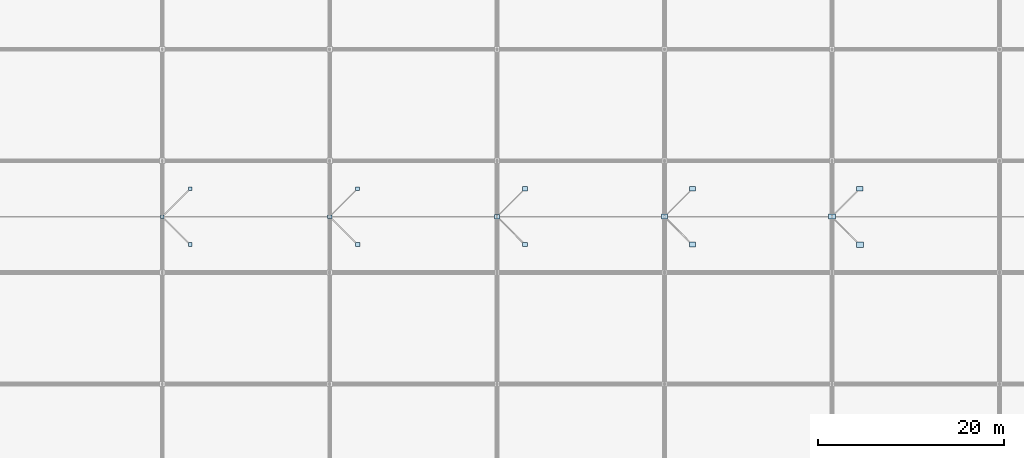
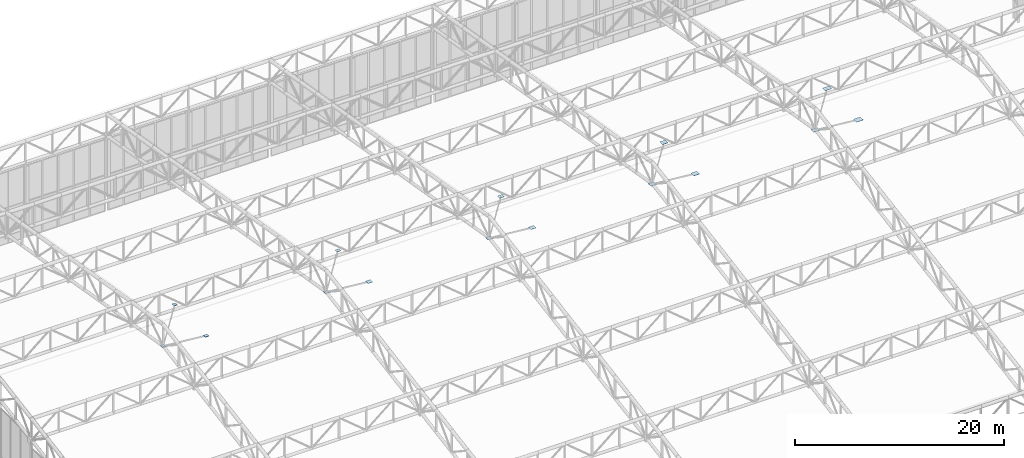
# One storey, part 199 of 239: 15 plates.
"""IFC4 building model written with IfcOpenShell, lengths in metres."""

from ifc_helpers import new_model, si_unit, direction, frame, origin, origin_2d, place, context, subcontext, project, spatial, rectangle, extrude, material, type_object, element, save


model = new_model("IFC4")

# Units and contexts
model_context = context("Model", 3, precision=1e-05, world=origin(), true_north=direction((0.0, 1.0)))
body_context = subcontext(model_context, "Body", "Model", "MODEL_VIEW")
ifc_project = project(units=[si_unit("LENGTHUNIT", "METRE"), si_unit("AREAUNIT", "SQUARE_METRE"), si_unit("VOLUMEUNIT", "CUBIC_METRE"), si_unit("PLANEANGLEUNIT", "RADIAN"), si_unit("MASSUNIT", "GRAM", prefix="KILO")], contexts=[model_context])

# Site, building, storey
site_placement = place(None, origin())
site = spatial("IfcSite", under=ifc_project, at=site_placement, CompositionType="ELEMENT")
building_placement = place(site_placement, origin())
building = spatial("IfcBuilding", under=site, at=building_placement, Name="Kaldris Quays Convention Centre", CompositionType="ELEMENT")
storey_placement = place(building_placement, frame((0.0, 0.0, 11.39990234375)))
storey = spatial("IfcBuildingStorey", under=building, at=storey_placement, Name="L02", CompositionType="ELEMENT", Elevation=11.39990234375)

# Plates
ifc_material = material(Name="Steel S355J2", Category="steel")
plate_type_1 = type_object("IfcPlateType", Name="GUSSET PLATE GP01", PredefinedType="USERDEFINED", material=ifc_material)
for number, where, z_axis, x_axis, name in (
    (1, (38.0, 98.0, 14.36279296875), (0.0, 0.0, 1.0), (1.0, 0.0, 0.0), "SF-V1 Strut Sealed End-Cap Plate GP01 1A"),
    (2, (41.0, 101.0, 16.3486328125), (0.0, 0.0, 1.0), (1.0, 0.0, 0.0), "SF-V1 Strut Sealed End-Cap Plate GP01 1B"),
):
    element("IfcPlate", number, at=place(storey_placement, frame(where, z_axis=z_axis, x_axis=x_axis)), inside=storey, type_object=plate_type_1, Name=name, ObjectType="GUSSET PLATE", PredefinedType="USERDEFINED", context=body_context, shape_type="SweptSolid", body=[
        extrude(rectangle(XDim=0.360107421875, YDim=0.39990234375, at=origin_2d()), origin(), (0.0, 0.0, 1.0), 0.01806640625),
    ])
plate_type_2 = type_object("IfcPlateType", Name="GUSSET PLATE GP02", PredefinedType="USERDEFINED", material=ifc_material)
plate_1_placement = place(storey_placement, frame((41.0, 95.0, 16.34765625), z_axis=(0.0, 0.0, 1.0), x_axis=(1.0, 0.0, 0.0)))
element("IfcPlate", 3, at=plate_1_placement, inside=storey, type_object=plate_type_2, Name="SF-V1 Strut Sealed End-Cap Plate GP02 2B", ObjectType="GUSSET PLATE", PredefinedType="USERDEFINED", context=body_context, shape_type="SweptSolid", body=[
    extrude(rectangle(XDim=0.405029296875, YDim=0.39990234375, at=origin_2d()), origin(), (0.0, 0.0, 1.0), 0.02001953125),
])
plate_type_3 = type_object("IfcPlateType", Name="GUSSET PLATE GP03", PredefinedType="USERDEFINED", material=ifc_material)
for number, where, z_axis, x_axis, name in (
    (4, (56.0, 98.0, 14.36083984375), (0.0, 0.0, 1.0), (1.0, 0.0, 0.0), "SF-V1 Strut Sealed End-Cap Plate GP03 3A"),
    (5, (59.0, 101.0, 16.3466796875), (0.0, 0.0, 1.0), (1.0, 0.0, 0.0), "SF-V1 Strut Sealed End-Cap Plate GP03 3B"),
):
    element("IfcPlate", number, at=place(storey_placement, frame(where, z_axis=z_axis, x_axis=x_axis)), inside=storey, type_object=plate_type_3, Name=name, ObjectType="GUSSET PLATE", PredefinedType="USERDEFINED", context=body_context, shape_type="SweptSolid", body=[
        extrude(rectangle(XDim=0.449951171875, YDim=0.39990234375, at=origin_2d()), origin(), (0.0, 0.0, 1.0), 0.02197265625),
    ])
plate_type_4 = type_object("IfcPlateType", Name="GUSSET PLATE GP04", PredefinedType="USERDEFINED", material=ifc_material)
plate_2_placement = place(storey_placement, frame((59.0, 95.0, 16.345703125), z_axis=(0.0, 0.0, 1.0), x_axis=(1.0, 0.0, 0.0)))
element("IfcPlate", 6, at=plate_2_placement, inside=storey, type_object=plate_type_4, Name="SF-V1 Strut Sealed End-Cap Plate GP04 4B", ObjectType="GUSSET PLATE", PredefinedType="USERDEFINED", context=body_context, shape_type="SweptSolid", body=[
    extrude(rectangle(XDim=0.4951171875, YDim=0.465087890625, at=origin_2d()), origin(), (0.0, 0.0, 1.0), 0.02392578125),
])
plate_type_5 = type_object("IfcPlateType", Name="GUSSET PLATE GP05", PredefinedType="USERDEFINED", material=ifc_material)
for number, where, z_axis, x_axis, name in (
    (7, (74.0, 98.0, 14.35888671875), (0.0, 0.0, 1.0), (1.0, 0.0, 0.0), "SF-V1 Strut Sealed End-Cap Plate GP05 5A"),
    (8, (77.0, 101.0, 16.3447265625), (0.0, 0.0, 1.0), (1.0, 0.0, 0.0), "SF-V1 Strut Sealed End-Cap Plate GP05 5B"),
):
    element("IfcPlate", number, at=place(storey_placement, frame(where, z_axis=z_axis, x_axis=x_axis)), inside=storey, type_object=plate_type_5, Name=name, ObjectType="GUSSET PLATE", PredefinedType="USERDEFINED", context=body_context, shape_type="SweptSolid", body=[
        extrude(rectangle(XDim=0.5400390625, YDim=0.465087890625, at=origin_2d()), origin(), (0.0, 0.0, 1.0), 0.02587890625),
    ])
plate_type_6 = type_object("IfcPlateType", Name="GUSSET PLATE GP06", PredefinedType="USERDEFINED", material=ifc_material)
plate_3_placement = place(storey_placement, frame((77.0, 95.0, 16.34375), z_axis=(0.0, 0.0, 1.0), x_axis=(1.0, 0.0, 0.0)))
element("IfcPlate", 9, at=plate_3_placement, inside=storey, type_object=plate_type_6, Name="SF-V1 Strut Sealed End-Cap Plate GP06 6B", ObjectType="GUSSET PLATE", PredefinedType="USERDEFINED", context=body_context, shape_type="SweptSolid", body=[
    extrude(rectangle(XDim=0.5849609375, YDim=0.465087890625, at=origin_2d()), origin(), (0.0, 0.0, 1.0), 0.028076171875),
])
plate_type_7 = type_object("IfcPlateType", Name="GUSSET PLATE GP07", PredefinedType="USERDEFINED", material=ifc_material)
for number, where, z_axis, x_axis, name in (
    (10, (92.0, 98.0, 14.35693359375), (0.0, 0.0, 1.0), (1.0, 0.0, 0.0), "SF-V1 Strut Sealed End-Cap Plate GP07 7A"),
    (11, (95.0, 101.0, 16.3427734375), (0.0, 0.0, 1.0), (1.0, 0.0, 0.0), "SF-V1 Strut Sealed End-Cap Plate GP07 7B"),
):
    element("IfcPlate", number, at=place(storey_placement, frame(where, z_axis=z_axis, x_axis=x_axis)), inside=storey, type_object=plate_type_7, Name=name, ObjectType="GUSSET PLATE", PredefinedType="USERDEFINED", context=body_context, shape_type="SweptSolid", body=[
        extrude(rectangle(XDim=0.6298828125, YDim=0.530029296875, at=origin_2d()), origin(), (0.0, 0.0, 1.0), 0.030029296875),
    ])
plate_type_8 = type_object("IfcPlateType", Name="GUSSET PLATE GP08", PredefinedType="USERDEFINED", material=ifc_material)
plate_4_placement = place(storey_placement, frame((95.0, 95.0, 16.341796875), z_axis=(0.0, 0.0, 1.0), x_axis=(1.0, 0.0, 0.0)))
element("IfcPlate", 12, at=plate_4_placement, inside=storey, type_object=plate_type_8, Name="SF-V1 Strut Sealed End-Cap Plate GP08 8B", ObjectType="GUSSET PLATE", PredefinedType="USERDEFINED", context=body_context, shape_type="SweptSolid", body=[
    extrude(rectangle(XDim=0.675048828125, YDim=0.530029296875, at=origin_2d()), origin(), (0.0, 0.0, 1.0), 0.031982421875),
])
plate_type_9 = type_object("IfcPlateType", Name="GUSSET PLATE GP09", PredefinedType="USERDEFINED", material=ifc_material)
for number, where, z_axis, x_axis, name in (
    (13, (110.0, 98.0, 14.36279296875), (0.0, 0.0, 1.0), (1.0, 0.0, 0.0), "SF-V1 Strut Sealed End-Cap Plate GP09 9A"),
    (14, (113.0, 101.0, 16.3486328125), (0.0, 0.0, 1.0), (1.0, 0.0, 0.0), "SF-V1 Strut Sealed End-Cap Plate GP09 9B"),
):
    element("IfcPlate", number, at=place(storey_placement, frame(where, z_axis=z_axis, x_axis=x_axis)), inside=storey, type_object=plate_type_9, Name=name, ObjectType="GUSSET PLATE", PredefinedType="USERDEFINED", context=body_context, shape_type="SweptSolid", body=[
        extrude(rectangle(XDim=0.719970703125, YDim=0.530029296875, at=origin_2d()), origin(), (0.0, 0.0, 1.0), 0.01806640625),
    ])
plate_type_10 = type_object("IfcPlateType", Name="GUSSET PLATE GP10", PredefinedType="USERDEFINED", material=ifc_material)
plate_5_placement = place(storey_placement, frame((113.0, 95.0, 16.34765625), z_axis=(0.0, 0.0, 1.0), x_axis=(1.0, 0.0, 0.0)))
element("IfcPlate", 15, at=plate_5_placement, inside=storey, type_object=plate_type_10, Name="SF-V1 Strut Sealed End-Cap Plate GP10 10B", ObjectType="GUSSET PLATE", PredefinedType="USERDEFINED", context=body_context, shape_type="SweptSolid", body=[
    extrude(rectangle(XDim=0.764892578125, YDim=0.594970703125, at=origin_2d()), origin(), (0.0, 0.0, 1.0), 0.02001953125),
])

save(model, "model.ifc")
